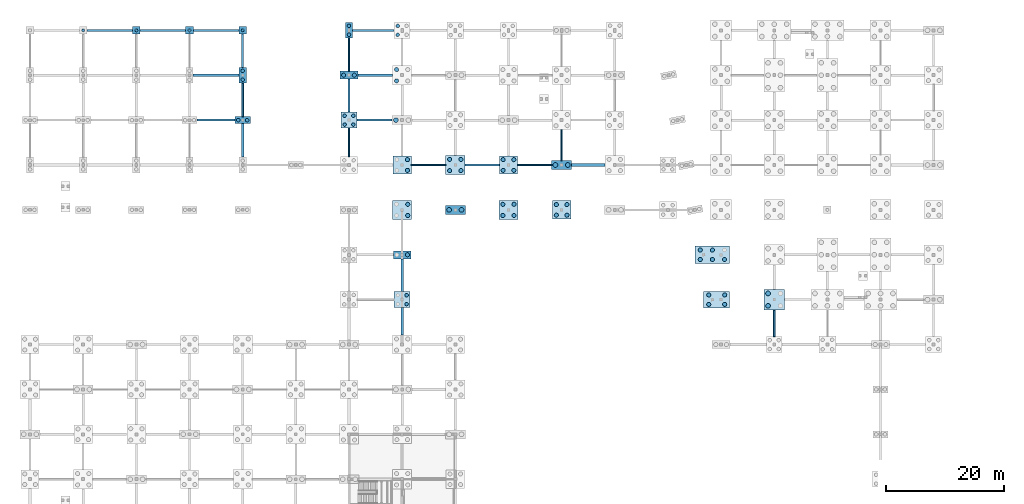
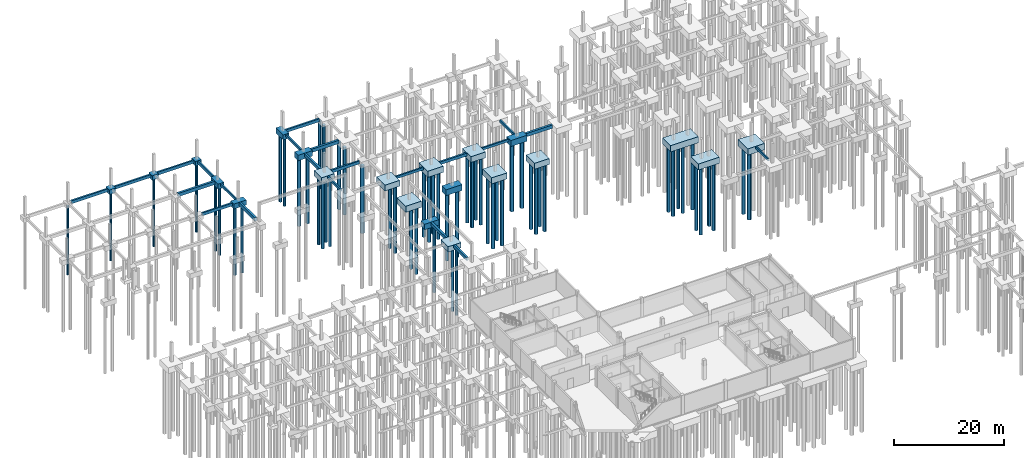
# One storey, part 7 of 28: 59 piles, 43 footings.
"""IFC4 building model written with IfcOpenShell, lengths in metres."""

from ifc_helpers import new_model, si_unit, direction, frame, origin, origin_2d, place, context, subcontext, project, spatial, rectangle, circle, extrude, material, layer, layer_set, material_profile, profile_set, type_object, element, save


model = new_model("IFC4")

# Units and contexts
model_context = context("Model", 3, precision=1e-05, world=origin(), true_north=direction((0.0, 1.0)))
body_context = subcontext(model_context, "Body", "Model", "MODEL_VIEW")
ifc_project = project(units=[si_unit("LENGTHUNIT", "METRE"), si_unit("AREAUNIT", "SQUARE_METRE"), si_unit("VOLUMEUNIT", "CUBIC_METRE"), si_unit("PLANEANGLEUNIT", "RADIAN"), si_unit("MASSUNIT", "GRAM", prefix="KILO")], contexts=[model_context])

# Site, building, storey
site_placement = place(None, origin())
site = spatial("IfcSite", under=ifc_project, at=site_placement, CompositionType="ELEMENT")
building_placement = place(site_placement, origin())
building = spatial("IfcBuilding", under=site, at=building_placement, Name="Caisbarro Railhouse Central Library", CompositionType="ELEMENT")
storey_placement = place(building_placement, frame((0.0, 0.0, -4.320068359375)))
storey = spatial("IfcBuildingStorey", under=building, at=storey_placement, Name="B01", CompositionType="ELEMENT", Elevation=-4.320068359375)

# Footings
ifc_material_1 = material(Name="Concrete C35", Category="concrete")
footing_type_1 = type_object("IfcFootingType", Name="FTG-FB01", PredefinedType="FOOTING_BEAM", material=ifc_material_1)
for number, where, z_axis, x_axis, name in (
    (1, (13.5, 114.0, -0.64990234375), (0.0, 0.0, 1.0), (1.0, 0.0, 0.0), "FB01 ground tie beam 48"),
    (2, (22.5, 114.0, -0.64990234375), (0.0, 0.0, 1.0), (1.0, 0.0, 0.0), "FB01 ground tie beam 72"),
):
    element("IfcFooting", number, at=place(storey_placement, frame(where, z_axis=z_axis, x_axis=x_axis)), inside=storey, type_object=footing_type_1, Name=name, PredefinedType="FOOTING_BEAM", context=body_context, shape_type="SweptSolid", body=[
        extrude(rectangle(XDim=7.696044921875, YDim=0.35009765625, at=origin_2d()), origin(), (0.0, 0.0, 1.0), 0.64990234375),
    ])
footing_1_placement = place(storey_placement, frame((31.5, 98.800048828125, -0.64990234375), z_axis=(0.0, 0.0, 1.0), x_axis=(1.0, 0.0, 0.0)))
element("IfcFooting", 3, at=footing_1_placement, inside=storey, type_object=footing_type_1, Name="FB01 ground tie beam 92", PredefinedType="FOOTING_BEAM", context=body_context, shape_type="SweptSolid", body=[
    extrude(rectangle(XDim=6.39599609375, YDim=0.35009765625, at=origin_2d()), origin(), (0.0, 0.0, 1.0), 0.64990234375),
])
footing_2_placement = place(storey_placement, frame((31.5, 114.0, -0.64990234375), z_axis=(0.0, 0.0, 1.0), x_axis=(1.0, 0.0, 0.0)))
element("IfcFooting", 4, at=footing_2_placement, inside=storey, type_object=footing_type_1, Name="FB01 ground tie beam 96", PredefinedType="FOOTING_BEAM", context=body_context, shape_type="SweptSolid", body=[
    extrude(rectangle(XDim=7.696044921875, YDim=0.35009765625, at=origin_2d()), origin(), (0.0, 0.0, 1.0), 0.64990234375),
])
footing_3_placement = place(storey_placement, frame((36.0, 110.53759765625, -0.64990234375), z_axis=(0.0, 0.0, 1.0), x_axis=(0.0, 1.0, 0.0)))
element("IfcFooting", 5, at=footing_3_placement, inside=storey, type_object=footing_type_1, Name="FB01 ground tie beam 116", PredefinedType="FOOTING_BEAM", context=body_context, shape_type="SweptSolid", body=[
    extrude(rectangle(XDim=5.62109375, YDim=0.35009765625, at=origin_2d()), origin(), (0.0, 0.0, 1.0), 0.64990234375),
])
footing_4_placement = place(storey_placement, frame((58.324951171875, 98.800048828125, -0.64990234375), z_axis=(0.0, 0.0, 1.0), x_axis=(1.0, 0.0, 0.0)))
element("IfcFooting", 6, at=footing_4_placement, inside=storey, type_object=footing_type_1, Name="FB01 ground tie beam 144", PredefinedType="FOOTING_BEAM", context=body_context, shape_type="SweptSolid", body=[
    extrude(rectangle(XDim=5.946044921875, YDim=0.35009765625, at=origin_2d()), origin(), (0.0, 0.0, 1.0), 0.64990234375),
])
footing_5_placement = place(storey_placement, frame((58.137451171875, 114.0, -0.64990234375), z_axis=(0.0, 0.0, 1.0), x_axis=(1.0, 0.0, 0.0)))
element("IfcFooting", 7, at=footing_5_placement, inside=storey, type_object=footing_type_1, Name="FB01 ground tie beam 148", PredefinedType="FOOTING_BEAM", context=body_context, shape_type="SweptSolid", body=[
    extrude(rectangle(XDim=7.02099609375, YDim=0.35009765625, at=origin_2d()), origin(), (0.0, 0.0, 1.0), 0.64990234375),
])
footing_6_placement = place(storey_placement, frame((76.53759765625, 91.199951171875, -0.64990234375), z_axis=(0.0, 0.0, 1.0), x_axis=(1.0, 0.0, 0.0)))
element("IfcFooting", 8, at=footing_6_placement, inside=storey, type_object=footing_type_1, Name="FB01 ground tie beam 164", PredefinedType="FOOTING_BEAM", context=body_context, shape_type="SweptSolid", body=[
    extrude(rectangle(XDim=5.821044921875, YDim=0.35009765625, at=origin_2d()), origin(), (0.0, 0.0, 1.0), 0.64990234375),
])
footing_type_2 = type_object("IfcFootingType", Name="FTG-FB02", PredefinedType="FOOTING_BEAM", material=ifc_material_1)
footing_7_placement = place(storey_placement, frame((54.0, 102.9375, -0.69970703125), z_axis=(0.0, 0.0, 1.0), x_axis=(0.0, 1.0, 0.0)))
element("IfcFooting", 9, at=footing_7_placement, inside=storey, type_object=footing_type_2, Name="FB02 ground tie beam 145", PredefinedType="FOOTING_BEAM", context=body_context, shape_type="SweptSolid", body=[
    extrude(rectangle(XDim=5.571044921875, YDim=0.39990234375, at=origin_2d()), origin(), (0.0, 0.0, 1.0), 0.699951171875),
])
footing_8_placement = place(storey_placement, frame((63.0, 64.737548828125, -0.69970703125), z_axis=(0.0, 0.0, 1.0), x_axis=(0.0, 1.0, 0.0)))
element("IfcFooting", 10, at=footing_8_placement, inside=storey, type_object=footing_type_2, Name="FB02 ground tie beam 153", PredefinedType="FOOTING_BEAM", context=body_context, shape_type="SweptSolid", body=[
    extrude(rectangle(XDim=4.62109375, YDim=0.39990234375, at=origin_2d()), origin(), (0.0, 0.0, 1.0), 0.699951171875),
])
footing_type_3 = type_object("IfcFootingType", Name="FTG-FB03", PredefinedType="FOOTING_BEAM", material=ifc_material_1)
footing_9_placement = place(storey_placement, frame((31.5, 106.39990234375, -0.75), z_axis=(0.0, 0.0, 1.0), x_axis=(1.0, 0.0, 0.0)))
element("IfcFooting", 11, at=footing_9_placement, inside=storey, type_object=footing_type_3, Name="FB03 ground tie beam 94", PredefinedType="FOOTING_BEAM", context=body_context, shape_type="SweptSolid", body=[
    extrude(rectangle(XDim=7.74609375, YDim=0.449951171875, at=origin_2d()), origin(), (0.0, 0.0, 1.0), 0.75),
])
footing_10_placement = place(storey_placement, frame((36.0, 95.362548828125, -0.75), z_axis=(0.0, 0.0, 1.0), x_axis=(0.0, 1.0, 0.0)))
element("IfcFooting", 12, at=footing_10_placement, inside=storey, type_object=footing_type_3, Name="FB03 ground tie beam 114", PredefinedType="FOOTING_BEAM", context=body_context, shape_type="SweptSolid", body=[
    extrude(rectangle(XDim=5.6708984375, YDim=0.449951171875, at=origin_2d()), origin(), (0.0, 0.0, 1.0), 0.75),
])
footing_11_placement = place(storey_placement, frame((58.4375, 106.39990234375, -0.75), z_axis=(0.0, 0.0, 1.0), x_axis=(1.0, 0.0, 0.0)))
element("IfcFooting", 13, at=footing_11_placement, inside=storey, type_object=footing_type_3, Name="FB03 ground tie beam 146", PredefinedType="FOOTING_BEAM", context=body_context, shape_type="SweptSolid", body=[
    extrude(rectangle(XDim=5.87109375, YDim=0.449951171875, at=origin_2d()), origin(), (0.0, 0.0, 1.0), 0.75),
])
footing_12_placement = place(storey_placement, frame((63.0, 72.53759765625, -0.75), z_axis=(0.0, 0.0, 1.0), x_axis=(0.0, 1.0, 0.0)))
element("IfcFooting", 14, at=footing_12_placement, inside=storey, type_object=footing_type_3, Name="FB03 ground tie beam 154", PredefinedType="FOOTING_BEAM", context=body_context, shape_type="SweptSolid", body=[
    extrude(rectangle(XDim=5.571044921875, YDim=0.449951171875, at=origin_2d()), origin(), (0.0, 0.0, 1.0), 0.75),
])
footing_13_placement = place(storey_placement, frame((94.53759765625, 91.199951171875, -0.75), z_axis=(0.0, 0.0, 1.0), x_axis=(1.0, 0.0, 0.0)))
element("IfcFooting", 15, at=footing_13_placement, inside=storey, type_object=footing_type_3, Name="FB03 ground tie beam 178", PredefinedType="FOOTING_BEAM", context=body_context, shape_type="SweptSolid", body=[
    extrude(rectangle(XDim=5.6708984375, YDim=0.449951171875, at=origin_2d()), origin(), (0.0, 0.0, 1.0), 0.75),
])
footing_type_4 = type_object("IfcFootingType", Name="FTG-FB04", PredefinedType="FOOTING_BEAM", material=ifc_material_1)
footing_14_placement = place(storey_placement, frame((36.0, 102.237548828125, -0.5498046875), z_axis=(0.0, 0.0, 1.0), x_axis=(0.0, 1.0, 0.0)))
element("IfcFooting", 16, at=footing_14_placement, inside=storey, type_object=footing_type_4, Name="FB04 ground tie beam 115", PredefinedType="FOOTING_BEAM", context=body_context, shape_type="SweptSolid", body=[
    extrude(rectangle(XDim=5.6708984375, YDim=0.300048828125, at=origin_2d()), origin(), (0.0, 0.0, 1.0), 0.550048828125),
])
footing_15_placement = place(storey_placement, frame((54.0, 95.03759765625, -0.5498046875), z_axis=(0.0, 0.0, 1.0), x_axis=(0.0, 1.0, 0.0)))
element("IfcFooting", 17, at=footing_15_placement, inside=storey, type_object=footing_type_4, Name="FB04 ground tie beam 143", PredefinedType="FOOTING_BEAM", context=body_context, shape_type="SweptSolid", body=[
    extrude(rectangle(XDim=4.821044921875, YDim=0.300048828125, at=origin_2d()), origin(), (0.0, 0.0, 1.0), 0.550048828125),
])
footing_16_placement = place(storey_placement, frame((54.0, 109.875, -0.5498046875), z_axis=(0.0, 0.0, 1.0), x_axis=(0.0, 1.0, 0.0)))
element("IfcFooting", 18, at=footing_16_placement, inside=storey, type_object=footing_type_4, Name="FB04 ground tie beam 147", PredefinedType="FOOTING_BEAM", context=body_context, shape_type="SweptSolid", body=[
    extrude(rectangle(XDim=5.595947265625, YDim=0.300048828125, at=origin_2d()), origin(), (0.0, 0.0, 1.0), 0.550048828125),
])
footing_17_placement = place(storey_placement, frame((67.46240234375, 91.199951171875, -0.5498046875), z_axis=(0.0, 0.0, 1.0), x_axis=(1.0, 0.0, 0.0)))
element("IfcFooting", 19, at=footing_17_placement, inside=storey, type_object=footing_type_4, Name="FB04 ground tie beam 155", PredefinedType="FOOTING_BEAM", context=body_context, shape_type="SweptSolid", body=[
    extrude(rectangle(XDim=5.821044921875, YDim=0.300048828125, at=origin_2d()), origin(), (0.0, 0.0, 1.0), 0.550048828125),
])
footing_18_placement = place(storey_placement, frame((85.425048828125, 91.199951171875, -0.5498046875), z_axis=(0.0, 0.0, 1.0), x_axis=(1.0, 0.0, 0.0)))
element("IfcFooting", 20, at=footing_18_placement, inside=storey, type_object=footing_type_4, Name="FB04 ground tie beam 171", PredefinedType="FOOTING_BEAM", context=body_context, shape_type="SweptSolid", body=[
    extrude(rectangle(XDim=5.74609375, YDim=0.300048828125, at=origin_2d()), origin(), (0.0, 0.0, 1.0), 0.550048828125),
])
footing_19_placement = place(storey_placement, frame((90.0, 94.5625, -0.5498046875), z_axis=(0.0, 0.0, 1.0), x_axis=(0.0, 1.0, 0.0)))
element("IfcFooting", 21, at=footing_19_placement, inside=storey, type_object=footing_type_4, Name="FB04 ground tie beam 179", PredefinedType="FOOTING_BEAM", context=body_context, shape_type="SweptSolid", body=[
    extrude(rectangle(XDim=5.220947265625, YDim=0.300048828125, at=origin_2d()), origin(), (0.0, 0.0, 1.0), 0.550048828125),
])
footing_20_placement = place(storey_placement, frame((126.0, 64.39990234375, -0.5498046875), z_axis=(0.0, 0.0, 1.0), x_axis=(0.0, 1.0, 0.0)))
element("IfcFooting", 22, at=footing_20_placement, inside=storey, type_object=footing_type_4, Name="FB04 ground tie beam 199", PredefinedType="FOOTING_BEAM", context=body_context, shape_type="SweptSolid", body=[
    extrude(rectangle(XDim=4.49609375, YDim=0.300048828125, at=origin_2d()), origin(), (0.0, 0.0, 1.0), 0.550048828125),
])
ifc_material_2 = material(Name="Concrete C40", Category="concrete")
ifc_layer_1 = layer(ifc_material_2, 1.0, Name="Concrete C40")
ifc_layer_set_1 = layer_set([ifc_layer_1], Name="Concrete C40")
footing_type_5 = type_object("IfcFootingType", Name="FTG-PC01", PredefinedType="PILE_CAP", material=ifc_layer_set_1)
for number, where, z_axis, x_axis, name in (
    (23, (18.0, 114.0, -1.0), (0.0, 0.0, 1.0), (1.0, 0.0, 0.0), "PC01 pile cap (42)"),
    (24, (27.0, 114.0, -1.0), (0.0, 0.0, 1.0), (1.0, 0.0, 0.0), "PC01 pile cap (56)"),
    (25, (36.0, 114.0, -1.0), (0.0, 0.0, 1.0), (1.0, 0.0, 0.0), "PC01 pile cap (70)"),
):
    element("IfcFooting", number, at=place(storey_placement, frame(where, z_axis=z_axis, x_axis=x_axis)), inside=storey, type_object=footing_type_5, Name=name, PredefinedType="PILE_CAP", context=body_context, shape_type="SweptSolid", body=[
        extrude(rectangle(XDim=1.300048828125, YDim=1.300048828125, at=origin_2d()), origin(), (0.0, 0.0, 1.0), 1.0),
    ])
ifc_layer_2 = layer(ifc_material_2, 1.10009765625, Name="Concrete C40")
ifc_layer_set_2 = layer_set([ifc_layer_2], Name="Concrete C40")
footing_type_6 = type_object("IfcFootingType", Name="FTG-PC02", PredefinedType="PILE_CAP", material=ifc_layer_set_2)
footing_21_placement = place(storey_placement, frame((36.0, 98.800048828125, -1.10009765625), z_axis=(0.0, 0.0, 1.0), x_axis=(1.0, 0.0, 0.0)))
element("IfcFooting", 26, at=footing_21_placement, inside=storey, type_object=footing_type_6, Name="PC02 pile cap (68)", PredefinedType="PILE_CAP", context=body_context, shape_type="SweptSolid", body=[
    extrude(rectangle(XDim=2.60009765625, YDim=1.199951171875, at=origin_2d()), origin(), (0.0, 0.0, 1.0), 1.10009765625),
])
ifc_layer_3 = layer(ifc_material_2, 1.1201171875, Name="Concrete C40")
ifc_layer_set_3 = layer_set([ifc_layer_3], Name="Concrete C40")
footing_type_7 = type_object("IfcFootingType", Name="FTG-PC03", PredefinedType="PILE_CAP", material=ifc_layer_set_3)
for number, where, z_axis, x_axis, name in (
    (27, (36.0, 106.39990234375, -1.119873046875), (0.0, 0.0, 1.0), (1.0, 0.0, 0.0), "PC03 pile cap (69)"),
    (28, (54.0, 114.0, -1.119873046875), (0.0, 0.0, 1.0), (1.0, 0.0, 0.0), "PC03 pile cap (95)"),
):
    element("IfcFooting", number, at=place(storey_placement, frame(where, z_axis=z_axis, x_axis=x_axis)), inside=storey, type_object=footing_type_7, Name=name, PredefinedType="PILE_CAP", context=body_context, shape_type="SweptSolid", body=[
        extrude(rectangle(XDim=1.25, YDim=2.64990234375, at=origin_2d()), origin(), (0.0, 0.0, 1.0), 1.1201171875),
    ])
ifc_layer_4 = layer(ifc_material_2, 1.199951171875, Name="Concrete C40")
ifc_layer_set_4 = layer_set([ifc_layer_4], Name="Concrete C40")
footing_type_8 = type_object("IfcFootingType", Name="FTG-PC04", PredefinedType="PILE_CAP", material=ifc_layer_set_4)
for number, where, z_axis, x_axis, name in (
    (29, (54.0, 98.800048828125, -1.19970703125), (0.0, 0.0, 1.0), (1.0, 0.0, 0.0), "PC04 pile cap (93)"),
    (30, (63.0, 68.39990234375, -1.19970703125), (0.0, 0.0, 1.0), (1.0, 0.0, 0.0), "PC04 pile cap (105)"),
):
    element("IfcFooting", number, at=place(storey_placement, frame(where, z_axis=z_axis, x_axis=x_axis)), inside=storey, type_object=footing_type_8, Name=name, PredefinedType="PILE_CAP", context=body_context, shape_type="SweptSolid", body=[
        extrude(rectangle(XDim=2.699951171875, YDim=2.699951171875, at=origin_2d()), origin(), (0.0, 0.0, 1.0), 1.199951171875),
    ])
ifc_layer_5 = layer(ifc_material_2, 1.219970703125, Name="Concrete C40")
ifc_layer_set_5 = layer_set([ifc_layer_5], Name="Concrete C40")
footing_type_9 = type_object("IfcFootingType", Name="FTG-PC05", PredefinedType="PILE_CAP", material=ifc_layer_set_5)
for number, where, z_axis, x_axis, name in (
    (31, (54.0, 106.39990234375, -1.2197265625), (0.0, 0.0, 1.0), (1.0, 0.0, 0.0), "PC05 pile cap (94)"),
    (32, (63.0, 76.0, -1.2197265625), (0.0, 0.0, 1.0), (1.0, 0.0, 0.0), "PC05 pile cap (106)"),
):
    element("IfcFooting", number, at=place(storey_placement, frame(where, z_axis=z_axis, x_axis=x_axis)), inside=storey, type_object=footing_type_9, Name=name, PredefinedType="PILE_CAP", context=body_context, shape_type="SweptSolid", body=[
        extrude(rectangle(XDim=3.0, YDim=1.35009765625, at=origin_2d()), origin(), (0.0, 0.0, 1.0), 1.219970703125),
    ])
ifc_layer_6 = layer(ifc_material_2, 1.300048828125, Name="Concrete C40")
ifc_layer_set_6 = layer_set([ifc_layer_6], Name="Concrete C40")
footing_type_10 = type_object("IfcFootingType", Name="FTG-PC06", PredefinedType="PILE_CAP", material=ifc_layer_set_6)
for number, where, z_axis, x_axis, name in (
    (33, (63.0, 91.199951171875, -1.2998046875), (0.0, 0.0, 1.0), (1.0, 0.0, 0.0), "PC06 pile cap (108)"),
    (34, (81.0, 91.199951171875, -1.2998046875), (0.0, 0.0, 1.0), (1.0, 0.0, 0.0), "PC06 pile cap (132)"),
    (35, (90.0, 83.60009765625, -1.2998046875), (0.0, 0.0, 1.0), (1.0, 0.0, 0.0), "PC06 pile cap (141)"),
):
    element("IfcFooting", number, at=place(storey_placement, frame(where, z_axis=z_axis, x_axis=x_axis)), inside=storey, type_object=footing_type_10, Name=name, PredefinedType="PILE_CAP", context=body_context, shape_type="SweptSolid", body=[
        extrude(rectangle(XDim=3.10009765625, YDim=3.10009765625, at=origin_2d()), origin(), (0.0, 0.0, 1.0), 1.300048828125),
    ])
ifc_layer_7 = layer(ifc_material_2, 1.320068359375, Name="Concrete C40")
ifc_layer_set_7 = layer_set([ifc_layer_7], Name="Concrete C40")
footing_type_11 = type_object("IfcFootingType", Name="FTG-PC07", PredefinedType="PILE_CAP", material=ifc_layer_set_7)
for number, where, z_axis, x_axis, name in (
    (36, (72.0, 83.60009765625, -1.31982421875), (0.0, 0.0, 1.0), (1.0, 0.0, 0.0), "PC07 pile cap (121)"),
    (37, (90.0, 91.199951171875, -1.31982421875), (0.0, 0.0, 1.0), (1.0, 0.0, 0.0), "PC07 pile cap (142)"),
):
    element("IfcFooting", number, at=place(storey_placement, frame(where, z_axis=z_axis, x_axis=x_axis)), inside=storey, type_object=footing_type_11, Name=name, PredefinedType="PILE_CAP", context=body_context, shape_type="SweptSolid", body=[
        extrude(rectangle(XDim=3.39990234375, YDim=1.5, at=origin_2d()), origin(), (0.0, 0.0, 1.0), 1.320068359375),
    ])
ifc_layer_8 = layer(ifc_material_2, 1.39990234375, Name="Concrete C40")
ifc_layer_set_8 = layer_set([ifc_layer_8], Name="Concrete C40")
footing_type_12 = type_object("IfcFootingType", Name="FTG-PC08", PredefinedType="PILE_CAP", material=ifc_layer_set_8)
footing_22_placement = place(storey_placement, frame((126.0, 68.39990234375, -1.39990234375), z_axis=(0.0, 0.0, 1.0), x_axis=(1.0, 0.0, 0.0)))
element("IfcFooting", 38, at=footing_22_placement, inside=storey, type_object=footing_type_12, Name="PC08 pile cap (178)", PredefinedType="PILE_CAP", context=body_context, shape_type="SweptSolid", body=[
    extrude(rectangle(XDim=3.5, YDim=3.5, at=origin_2d()), origin(), (0.0, 0.0, 1.0), 1.39990234375),
])
ifc_layer_9 = layer(ifc_material_2, 1.35009765625, Name="Concrete C40")
ifc_layer_set_9 = layer_set([ifc_layer_9], Name="Concrete C40")
footing_type_13 = type_object("IfcFootingType", Name="FTG-PC11", PredefinedType="PILE_CAP", material=ifc_layer_set_9)
footing_23_placement = place(storey_placement, frame((116.261474609375, 68.39990234375, -1.35009765625), z_axis=(0.0, 0.0, 1.0), x_axis=(1.0, 0.0, 0.0)))
element("IfcFooting", 39, at=footing_23_placement, inside=storey, type_object=footing_type_13, Name="PC11 pile cap (168)", PredefinedType="PILE_CAP", context=body_context, shape_type="SweptSolid", body=[
    extrude(rectangle(XDim=4.39990234375, YDim=2.800048828125, at=origin_2d()), origin(), (0.0, 0.0, 1.0), 1.35009765625),
])
ifc_layer_10 = layer(ifc_material_2, 1.3798828125, Name="Concrete C40")
ifc_layer_set_10 = layer_set([ifc_layer_10], Name="Concrete C40")
footing_type_14 = type_object("IfcFootingType", Name="FTG-PC12", PredefinedType="PILE_CAP", material=ifc_layer_set_10)
footing_24_placement = place(storey_placement, frame((115.5224609375, 76.0, -1.3798828125), z_axis=(0.0, 0.0, 1.0), x_axis=(1.0, 0.0, 0.0)))
element("IfcFooting", 40, at=footing_24_placement, inside=storey, type_object=footing_type_14, Name="PC12 pile cap (167)", PredefinedType="PILE_CAP", context=body_context, shape_type="SweptSolid", body=[
    extrude(rectangle(XDim=5.800048828125, YDim=2.89990234375, at=origin_2d()), origin(), (0.0, 0.0, 1.0), 1.3798828125),
])
ifc_layer_11 = layer(ifc_material_2, 1.340087890625, Name="Concrete C40")
ifc_layer_set_11 = layer_set([ifc_layer_11], Name="Concrete C40")
footing_type_15 = type_object("IfcFootingType", Name="FTG-PC14", PredefinedType="PILE_CAP", material=ifc_layer_set_11)
for number, where, z_axis, x_axis, name in (
    (41, (63.0, 83.60009765625, -1.33984375), (0.0, 0.0, 1.0), (1.0, 0.0, 0.0), "PC14 pile cap (107)"),
    (42, (72.0, 91.199951171875, -1.33984375), (0.0, 0.0, 1.0), (1.0, 0.0, 0.0), "PC14 pile cap (122)"),
    (43, (81.0, 83.60009765625, -1.33984375), (0.0, 0.0, 1.0), (1.0, 0.0, 0.0), "PC14 pile cap (131)"),
):
    element("IfcFooting", number, at=place(storey_placement, frame(where, z_axis=z_axis, x_axis=x_axis)), inside=storey, type_object=footing_type_15, Name=name, PredefinedType="PILE_CAP", context=body_context, shape_type="SweptSolid", body=[
        extrude(rectangle(XDim=3.25, YDim=3.25, at=origin_2d()), origin(), (0.0, 0.0, 1.0), 1.340087890625),
    ])

# Piles
ifc_material_profile_1 = material_profile(ifc_material_1, circle(Radius=0.25, at=origin_2d()), Name="PILE-CFA-500")
ifc_profile_set_1 = profile_set([ifc_material_profile_1], Name="Concrete C35")
pile_type_1 = type_object("IfcPileType", Name="PILE-CFA500", PredefinedType="BORED", material=ifc_profile_set_1)
for number, where, z_axis, x_axis, name in (
    (44, (9.0, 114.0, -0.89990234375), (0.0, 0.0, -1.0), (1.0, 0.0, 0.0), "PL50 CFA bored pile 28.1"),
    (45, (18.0, 114.0, -0.89990234375), (0.0, 0.0, -1.0), (1.0, 0.0, 0.0), "PL50 CFA bored pile 42.1"),
    (46, (27.0, 114.0, -0.89990234375), (0.0, 0.0, -1.0), (1.0, 0.0, 0.0), "PL50 CFA bored pile 56.1"),
    (47, (36.0, 114.0, -0.89990234375), (0.0, 0.0, -1.0), (1.0, 0.0, 0.0), "PL50 CFA bored pile 70.1"),
):
    element("IfcPile", number, at=place(storey_placement, frame(where, z_axis=z_axis, x_axis=x_axis)), inside=storey, type_object=pile_type_1, Name=name, PredefinedType="BORED", context=body_context, shape_type="SweptSolid", body=[
        extrude(circle(Radius=0.25, at=origin_2d()), origin(), (0.0, 0.0, 1.0), 15.280029296875),
    ])
ifc_material_profile_2 = material_profile(ifc_material_1, circle(Radius=0.300048828125, at=origin_2d()), Name="PILE-CFA-600")
ifc_profile_set_2 = profile_set([ifc_material_profile_2], Name="Concrete C35")
pile_type_2 = type_object("IfcPileType", Name="PILE-CFA600", PredefinedType="BORED", material=ifc_profile_set_2)
for number, where, z_axis, x_axis, name in (
    (48, (35.25, 98.800048828125, -1.0), (0.0, 0.0, -1.0), (1.0, 0.0, 0.0), "PL60 CFA bored pile 68.1"),
    (49, (36.75, 98.800048828125, -1.0), (0.0, 0.0, -1.0), (1.0, 0.0, 0.0), "PL60 CFA bored pile 68.2"),
):
    element("IfcPile", number, at=place(storey_placement, frame(where, z_axis=z_axis, x_axis=x_axis)), inside=storey, type_object=pile_type_2, Name=name, PredefinedType="BORED", context=body_context, shape_type="SweptSolid", body=[
        extrude(circle(Radius=0.300048828125, at=origin_2d()), origin(), (0.0, 0.0, 1.0), 15.179931640625),
    ])
for number, where, z_axis, x_axis, name in (
    (50, (36.0, 105.64990234375, -1.02001953125), (0.0, 0.0, -1.0), (1.0, 0.0, 0.0), "PL60 CFA bored pile 69.1"),
    (51, (36.0, 107.14990234375, -1.02001953125), (0.0, 0.0, -1.0), (1.0, 0.0, 0.0), "PL60 CFA bored pile 69.2"),
):
    element("IfcPile", number, at=place(storey_placement, frame(where, z_axis=z_axis, x_axis=x_axis)), inside=storey, type_object=pile_type_2, Name=name, PredefinedType="BORED", context=body_context, shape_type="SweptSolid", body=[
        extrude(circle(Radius=0.300048828125, at=origin_2d()), origin(), (0.0, 0.0, 1.0), 15.159912109375),
    ])
for number, where, z_axis, x_axis, name in (
    (52, (53.25, 98.050048828125, -1.099853515625), (0.0, 0.0, -1.0), (1.0, 0.0, 0.0), "PL60 CFA bored pile 93.1"),
    (53, (54.75, 98.050048828125, -1.099853515625), (0.0, 0.0, -1.0), (1.0, 0.0, 0.0), "PL60 CFA bored pile 93.2"),
    (54, (53.25, 99.550048828125, -1.099853515625), (0.0, 0.0, -1.0), (1.0, 0.0, 0.0), "PL60 CFA bored pile 93.3"),
    (55, (54.75, 99.550048828125, -1.099853515625), (0.0, 0.0, -1.0), (1.0, 0.0, 0.0), "PL60 CFA bored pile 93.4"),
):
    element("IfcPile", number, at=place(storey_placement, frame(where, z_axis=z_axis, x_axis=x_axis)), inside=storey, type_object=pile_type_2, Name=name, PredefinedType="BORED", context=body_context, shape_type="SweptSolid", body=[
        extrude(circle(Radius=0.300048828125, at=origin_2d()), origin(), (0.0, 0.0, 1.0), 15.080078125),
    ])
for number, where, z_axis, x_axis, name in (
    (56, (54.0, 113.25, -1.02001953125), (0.0, 0.0, -1.0), (1.0, 0.0, 0.0), "PL60 CFA bored pile 95.1"),
    (57, (54.0, 114.75, -1.02001953125), (0.0, 0.0, -1.0), (1.0, 0.0, 0.0), "PL60 CFA bored pile 95.2"),
):
    element("IfcPile", number, at=place(storey_placement, frame(where, z_axis=z_axis, x_axis=x_axis)), inside=storey, type_object=pile_type_2, Name=name, PredefinedType="BORED", context=body_context, shape_type="SweptSolid", body=[
        extrude(circle(Radius=0.300048828125, at=origin_2d()), origin(), (0.0, 0.0, 1.0), 15.159912109375),
    ])
for number, where, z_axis, x_axis, name in (
    (58, (63.75, 67.64990234375, -1.099853515625), (0.0, 0.0, -1.0), (1.0, 0.0, 0.0), "PL60 CFA bored pile 105.2"),
    (59, (63.75, 69.14990234375, -1.099853515625), (0.0, 0.0, -1.0), (1.0, 0.0, 0.0), "PL60 CFA bored pile 105.4"),
    (60, (62.25, 113.25, -1.099853515625), (0.0, 0.0, -1.0), (1.0, 0.0, 0.0), "PL60 CFA bored pile 111.1"),
    (61, (62.25, 114.75, -1.099853515625), (0.0, 0.0, -1.0), (1.0, 0.0, 0.0), "PL60 CFA bored pile 111.3"),
):
    element("IfcPile", number, at=place(storey_placement, frame(where, z_axis=z_axis, x_axis=x_axis)), inside=storey, type_object=pile_type_2, Name=name, PredefinedType="BORED", context=body_context, shape_type="SweptSolid", body=[
        extrude(circle(Radius=0.300048828125, at=origin_2d()), origin(), (0.0, 0.0, 1.0), 15.080078125),
    ])
ifc_material_profile_3 = material_profile(ifc_material_1, circle(Radius=0.35009765625, at=origin_2d()), Name="PILE-CFA-700")
ifc_profile_set_3 = profile_set([ifc_material_profile_3], Name="Concrete C35")
pile_type_3 = type_object("IfcPileType", Name="PILE-CFA700", PredefinedType="BORED", material=ifc_profile_set_3)
for number, where, z_axis, x_axis, name in (
    (62, (53.10009765625, 106.39990234375, -1.119873046875), (0.0, 0.0, -1.0), (1.0, 0.0, 0.0), "PL70 CFA bored pile 94.1"),
    (63, (54.89990234375, 106.39990234375, -1.119873046875), (0.0, 0.0, -1.0), (1.0, 0.0, 0.0), "PL70 CFA bored pile 94.2"),
    (64, (63.89990234375, 76.0, -1.119873046875), (0.0, 0.0, -1.0), (1.0, 0.0, 0.0), "PL70 CFA bored pile 106.2"),
):
    element("IfcPile", number, at=place(storey_placement, frame(where, z_axis=z_axis, x_axis=x_axis)), inside=storey, type_object=pile_type_3, Name=name, PredefinedType="BORED", context=body_context, shape_type="SweptSolid", body=[
        extrude(circle(Radius=0.35009765625, at=origin_2d()), origin(), (0.0, 0.0, 1.0), 15.06005859375),
    ])
for number, where, z_axis, x_axis, name in (
    (65, (63.949951171875, 82.64990234375, -1.239990234375), (0.0, 0.0, -1.0), (1.0, 0.0, 0.0), "PL70 CFA bored pile 107.2"),
    (66, (63.949951171875, 84.550048828125, -1.239990234375), (0.0, 0.0, -1.0), (1.0, 0.0, 0.0), "PL70 CFA bored pile 107.4"),
):
    element("IfcPile", number, at=place(storey_placement, frame(where, z_axis=z_axis, x_axis=x_axis)), inside=storey, type_object=pile_type_3, Name=name, PredefinedType="BORED", context=body_context, shape_type="SweptSolid", body=[
        extrude(circle(Radius=0.35009765625, at=origin_2d()), origin(), (0.0, 0.0, 1.0), 14.93994140625),
    ])
for number, where, z_axis, x_axis, name in (
    (67, (63.89990234375, 90.300048828125, -1.199951171875), (0.0, 0.0, -1.0), (1.0, 0.0, 0.0), "PL70 CFA bored pile 108.2"),
    (68, (63.89990234375, 92.10009765625, -1.199951171875), (0.0, 0.0, -1.0), (1.0, 0.0, 0.0), "PL70 CFA bored pile 108.4"),
):
    element("IfcPile", number, at=place(storey_placement, frame(where, z_axis=z_axis, x_axis=x_axis)), inside=storey, type_object=pile_type_3, Name=name, PredefinedType="BORED", context=body_context, shape_type="SweptSolid", body=[
        extrude(circle(Radius=0.35009765625, at=origin_2d()), origin(), (0.0, 0.0, 1.0), 14.97998046875),
    ])
for number, where, z_axis, x_axis, name in (
    (69, (62.050048828125, 105.449951171875, -1.239990234375), (0.0, 0.0, -1.0), (1.0, 0.0, 0.0), "PL70 CFA bored pile 110.1"),
    (70, (62.050048828125, 107.35009765625, -1.239990234375), (0.0, 0.0, -1.0), (1.0, 0.0, 0.0), "PL70 CFA bored pile 110.3"),
    (71, (71.050048828125, 90.25, -1.239990234375), (0.0, 0.0, -1.0), (1.0, 0.0, 0.0), "PL70 CFA bored pile 122.1"),
    (72, (72.949951171875, 90.25, -1.239990234375), (0.0, 0.0, -1.0), (1.0, 0.0, 0.0), "PL70 CFA bored pile 122.2"),
    (73, (71.050048828125, 92.14990234375, -1.239990234375), (0.0, 0.0, -1.0), (1.0, 0.0, 0.0), "PL70 CFA bored pile 122.3"),
    (74, (72.949951171875, 92.14990234375, -1.239990234375), (0.0, 0.0, -1.0), (1.0, 0.0, 0.0), "PL70 CFA bored pile 122.4"),
    (75, (80.050048828125, 82.64990234375, -1.239990234375), (0.0, 0.0, -1.0), (1.0, 0.0, 0.0), "PL70 CFA bored pile 131.1"),
    (76, (81.949951171875, 82.64990234375, -1.239990234375), (0.0, 0.0, -1.0), (1.0, 0.0, 0.0), "PL70 CFA bored pile 131.2"),
    (77, (80.050048828125, 84.550048828125, -1.239990234375), (0.0, 0.0, -1.0), (1.0, 0.0, 0.0), "PL70 CFA bored pile 131.3"),
    (78, (81.949951171875, 84.550048828125, -1.239990234375), (0.0, 0.0, -1.0), (1.0, 0.0, 0.0), "PL70 CFA bored pile 131.4"),
):
    element("IfcPile", number, at=place(storey_placement, frame(where, z_axis=z_axis, x_axis=x_axis)), inside=storey, type_object=pile_type_3, Name=name, PredefinedType="BORED", context=body_context, shape_type="SweptSolid", body=[
        extrude(circle(Radius=0.35009765625, at=origin_2d()), origin(), (0.0, 0.0, 1.0), 14.93994140625),
    ])
for number, where, z_axis, x_axis, name in (
    (79, (80.10009765625, 90.300048828125, -1.199951171875), (0.0, 0.0, -1.0), (1.0, 0.0, 0.0), "PL70 CFA bored pile 132.1"),
    (80, (81.89990234375, 90.300048828125, -1.199951171875), (0.0, 0.0, -1.0), (1.0, 0.0, 0.0), "PL70 CFA bored pile 132.2"),
    (81, (80.10009765625, 92.10009765625, -1.199951171875), (0.0, 0.0, -1.0), (1.0, 0.0, 0.0), "PL70 CFA bored pile 132.3"),
    (82, (81.89990234375, 92.10009765625, -1.199951171875), (0.0, 0.0, -1.0), (1.0, 0.0, 0.0), "PL70 CFA bored pile 132.4"),
    (83, (89.10009765625, 82.699951171875, -1.199951171875), (0.0, 0.0, -1.0), (1.0, 0.0, 0.0), "PL70 CFA bored pile 141.1"),
    (84, (90.89990234375, 82.699951171875, -1.199951171875), (0.0, 0.0, -1.0), (1.0, 0.0, 0.0), "PL70 CFA bored pile 141.2"),
    (85, (89.10009765625, 84.5, -1.199951171875), (0.0, 0.0, -1.0), (1.0, 0.0, 0.0), "PL70 CFA bored pile 141.3"),
    (86, (90.89990234375, 84.5, -1.199951171875), (0.0, 0.0, -1.0), (1.0, 0.0, 0.0), "PL70 CFA bored pile 141.4"),
):
    element("IfcPile", number, at=place(storey_placement, frame(where, z_axis=z_axis, x_axis=x_axis)), inside=storey, type_object=pile_type_3, Name=name, PredefinedType="BORED", context=body_context, shape_type="SweptSolid", body=[
        extrude(circle(Radius=0.35009765625, at=origin_2d()), origin(), (0.0, 0.0, 1.0), 14.97998046875),
    ])
for number, where, z_axis, x_axis, name in (
    (87, (113.472412109375, 75.199951171875, -1.280029296875), (0.0, 0.0, -1.0), (1.0, 0.0, 0.0), "PL70 CFA bored pile 167.1"),
    (88, (115.5224609375, 75.199951171875, -1.280029296875), (0.0, 0.0, -1.0), (1.0, 0.0, 0.0), "PL70 CFA bored pile 167.2"),
    (89, (117.572509765625, 75.199951171875, -1.280029296875), (0.0, 0.0, -1.0), (1.0, 0.0, 0.0), "PL70 CFA bored pile 167.3"),
    (90, (113.472412109375, 76.800048828125, -1.280029296875), (0.0, 0.0, -1.0), (1.0, 0.0, 0.0), "PL70 CFA bored pile 167.4"),
    (91, (115.5224609375, 76.800048828125, -1.280029296875), (0.0, 0.0, -1.0), (1.0, 0.0, 0.0), "PL70 CFA bored pile 167.5"),
):
    element("IfcPile", number, at=place(storey_placement, frame(where, z_axis=z_axis, x_axis=x_axis)), inside=storey, type_object=pile_type_3, Name=name, PredefinedType="BORED", context=body_context, shape_type="SweptSolid", body=[
        extrude(circle(Radius=0.35009765625, at=origin_2d()), origin(), (0.0, 0.0, 1.0), 14.89990234375),
    ])
for number, where, z_axis, x_axis, name in (
    (92, (114.91162109375, 67.60009765625, -1.25), (0.0, 0.0, -1.0), (1.0, 0.0, 0.0), "PL70 CFA bored pile 168.1"),
    (93, (117.611572265625, 67.60009765625, -1.25), (0.0, 0.0, -1.0), (1.0, 0.0, 0.0), "PL70 CFA bored pile 168.2"),
    (94, (114.91162109375, 69.199951171875, -1.25), (0.0, 0.0, -1.0), (1.0, 0.0, 0.0), "PL70 CFA bored pile 168.3"),
    (95, (117.611572265625, 69.199951171875, -1.25), (0.0, 0.0, -1.0), (1.0, 0.0, 0.0), "PL70 CFA bored pile 168.4"),
):
    element("IfcPile", number, at=place(storey_placement, frame(where, z_axis=z_axis, x_axis=x_axis)), inside=storey, type_object=pile_type_3, Name=name, PredefinedType="BORED", context=body_context, shape_type="SweptSolid", body=[
        extrude(circle(Radius=0.35009765625, at=origin_2d()), origin(), (0.0, 0.0, 1.0), 14.929931640625),
    ])
ifc_material_profile_4 = material_profile(ifc_material_1, circle(Radius=0.39990234375, at=origin_2d()), Name="PILE-CFA-800")
ifc_profile_set_4 = profile_set([ifc_material_profile_4], Name="Concrete C35")
pile_type_4 = type_object("IfcPileType", Name="PILE-CFA800", PredefinedType="BORED", material=ifc_profile_set_4)
for number, where, z_axis, x_axis, name in (
    (96, (61.949951171875, 98.800048828125, -1.219970703125), (0.0, 0.0, -1.0), (1.0, 0.0, 0.0), "PL80 CFA bored pile 109.1"),
    (97, (70.949951171875, 83.60009765625, -1.219970703125), (0.0, 0.0, -1.0), (1.0, 0.0, 0.0), "PL80 CFA bored pile 121.1"),
    (98, (73.050048828125, 83.60009765625, -1.219970703125), (0.0, 0.0, -1.0), (1.0, 0.0, 0.0), "PL80 CFA bored pile 121.2"),
    (99, (88.949951171875, 91.199951171875, -1.219970703125), (0.0, 0.0, -1.0), (1.0, 0.0, 0.0), "PL80 CFA bored pile 142.1"),
    (100, (91.050048828125, 91.199951171875, -1.219970703125), (0.0, 0.0, -1.0), (1.0, 0.0, 0.0), "PL80 CFA bored pile 142.2"),
):
    element("IfcPile", number, at=place(storey_placement, frame(where, z_axis=z_axis, x_axis=x_axis)), inside=storey, type_object=pile_type_4, Name=name, PredefinedType="BORED", context=body_context, shape_type="SweptSolid", body=[
        extrude(circle(Radius=0.39990234375, at=origin_2d()), origin(), (0.0, 0.0, 1.0), 14.9599609375),
    ])
for number, where, z_axis, x_axis, name in (
    (101, (124.949951171875, 67.35009765625, -1.300048828125), (0.0, 0.0, -1.0), (1.0, 0.0, 0.0), "PL80 CFA bored pile 178.1"),
    (102, (124.949951171875, 69.449951171875, -1.300048828125), (0.0, 0.0, -1.0), (1.0, 0.0, 0.0), "PL80 CFA bored pile 178.3"),
):
    element("IfcPile", number, at=place(storey_placement, frame(where, z_axis=z_axis, x_axis=x_axis)), inside=storey, type_object=pile_type_4, Name=name, PredefinedType="BORED", context=body_context, shape_type="SweptSolid", body=[
        extrude(circle(Radius=0.39990234375, at=origin_2d()), origin(), (0.0, 0.0, 1.0), 14.8798828125),
    ])

save(model, "model.ifc")
